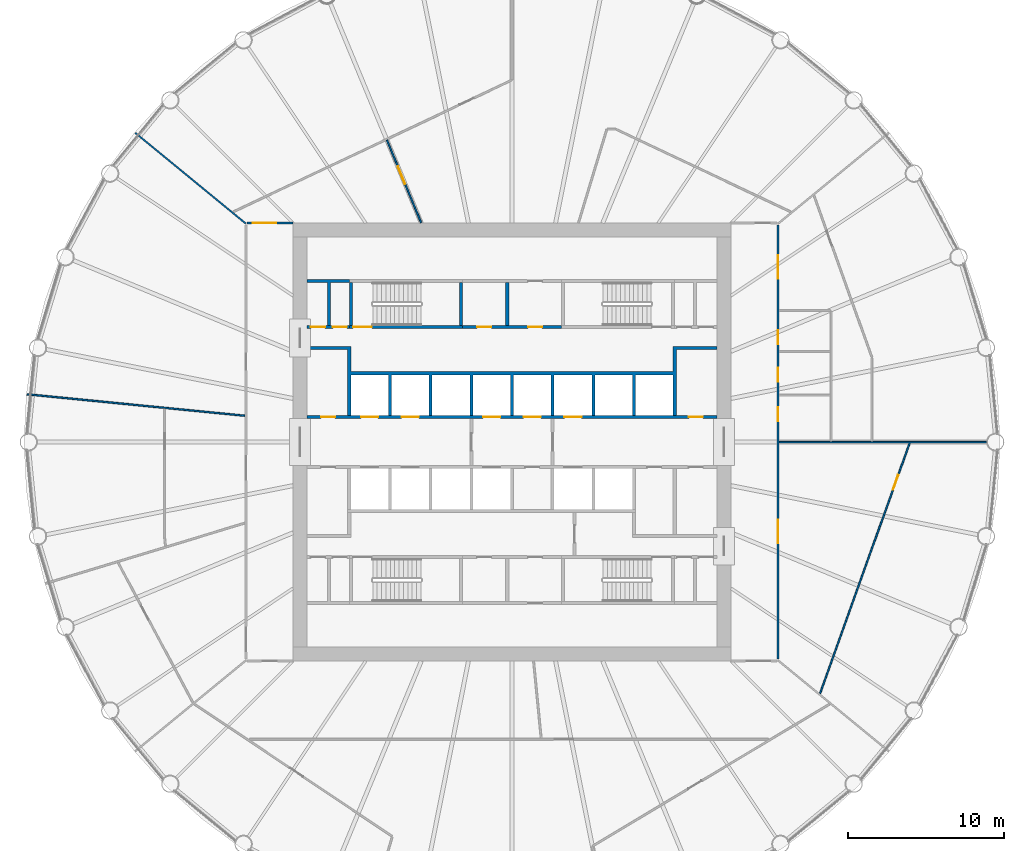
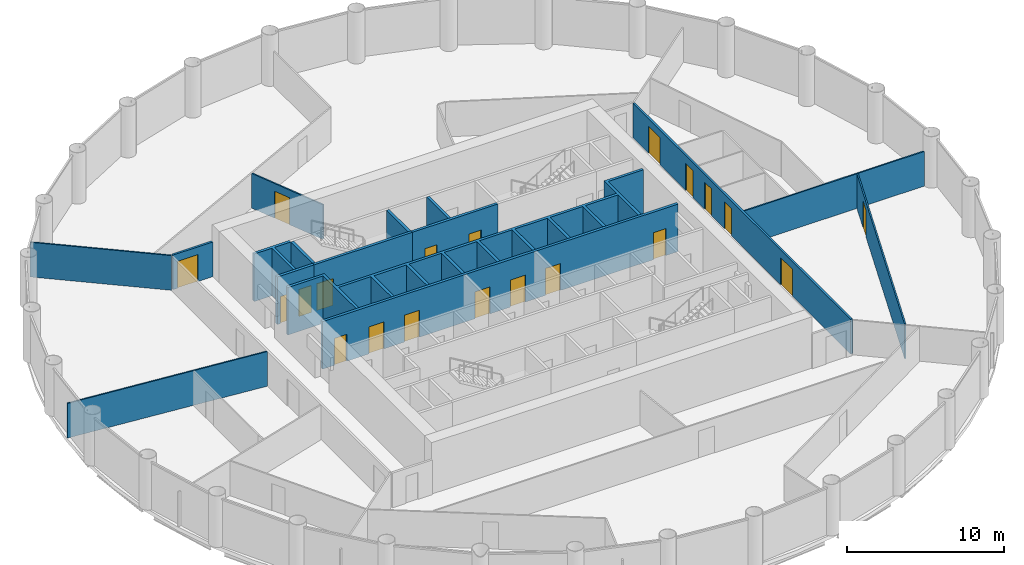
# One storey, part 6 of 8: 20 doors, 16 walls, 20 openings.
"""IFC4 building model written with IfcOpenShell, lengths in metres."""

from ifc_helpers import new_model, si_unit, direction, frame, frame_2d, origin, place, context, subcontext, project, spatial, polyline, rectangle, outline, extrude, material, layer, layer_set, type_object, element, fill, save


model = new_model("IFC4")

# Units and contexts
model_context = context("Model", 3, precision=1e-05, world=origin(), true_north=direction((0.0, 1.0)))
body_context = subcontext(model_context, "Body", "Model", "MODEL_VIEW")
ifc_project = project(units=[si_unit("LENGTHUNIT", "METRE"), si_unit("AREAUNIT", "SQUARE_METRE"), si_unit("VOLUMEUNIT", "CUBIC_METRE"), si_unit("PLANEANGLEUNIT", "RADIAN"), si_unit("MASSUNIT", "GRAM", prefix="KILO")], contexts=[model_context])

# Site, building, storey
site_placement = place(None, origin())
site = spatial("IfcSite", under=ifc_project, at=site_placement, CompositionType="ELEMENT")
building_placement = place(site_placement, origin())
building = spatial("IfcBuilding", under=site, at=building_placement, Name="Corvane Civic Tower", CompositionType="ELEMENT")
storey_placement = place(building_placement, frame((0.0, 0.0, 156.0)))
storey = spatial("IfcBuildingStorey", under=building, at=storey_placement, Name="L36", CompositionType="ELEMENT", Elevation=156.0)

# Wall, openings, doors
ifc_material_1 = material(Name="Concrete C30/37", Category="concrete")
ifc_layer_1 = layer(ifc_material_1, 0.199951171875)
ifc_layer_set_1 = layer_set([ifc_layer_1], Name="Concrete C30/37")
wall_type_1 = type_object("IfcWallType", Name="CR-WALL-200", PredefinedType="PARTITIONING", material=ifc_layer_set_1)
wall_1_placement = place(storey_placement, frame((-13.10009765625, 1.60009765625, 0.0), z_axis=(0.0, 0.0, 1.0), x_axis=(1.0, 0.0, 0.0)))
wall_1 = element("IfcWall", 1, at=wall_1_placement, inside=storey, type_object=wall_type_1, Name="L36 lift shaft wall", PredefinedType="PARTITIONING", context=body_context, shape_type="SweptSolid", body=[
    extrude(rectangle(XDim=26.2001953125, YDim=0.199951171875, at=frame_2d((13.10009765625, 0.0))), origin(), (0.0, 0.0, 1.0), 3.699951171875),
])
opening_1_placement = place(wall_1_placement, frame((3.449951171875, 0.0, 0.0)))
opening_1 = element("IfcOpeningElement", 2, at=opening_1_placement, cuts=wall_1, Name="Opening LD", PredefinedType="OPENING", context=body_context, shape_type="SweptSolid", body=[
    extrude(rectangle(XDim=1.10009765625, YDim=2.10009765625, at=frame_2d((0.550048828125, 1.050048828125))), frame((0.0, 0.10986328125, 0.0), z_axis=(0.0, -1.0, 0.0), x_axis=(1.0, 0.0, 0.0)), (0.0, 0.0, 1.0), 0.219970703125),
])
opening_2_placement = place(wall_1_placement, frame((6.050048828125, 0.0, 0.0)))
opening_2 = element("IfcOpeningElement", 3, at=opening_2_placement, cuts=wall_1, Name="Opening LD", PredefinedType="OPENING", context=body_context, shape_type="SweptSolid", body=[
    extrude(rectangle(XDim=1.10009765625, YDim=2.10009765625, at=frame_2d((0.550048828125, 1.050048828125))), frame((0.0, 0.10986328125, 0.0), z_axis=(0.0, -1.0, 0.0), x_axis=(1.0, 0.0, 0.0)), (0.0, 0.0, 1.0), 0.219970703125),
])
opening_3_placement = place(wall_1_placement, frame((11.25, 0.0, 0.0)))
opening_3 = element("IfcOpeningElement", 4, at=opening_3_placement, cuts=wall_1, Name="Opening LD", PredefinedType="OPENING", context=body_context, shape_type="SweptSolid", body=[
    extrude(rectangle(XDim=1.10009765625, YDim=2.10009765625, at=frame_2d((0.550048828125, 1.050048828125))), frame((0.0, 0.10986328125, 0.0), z_axis=(0.0, -1.0, 0.0), x_axis=(1.0, 0.0, 0.0)), (0.0, 0.0, 1.0), 0.219970703125),
])
opening_4_placement = place(wall_1_placement, frame((13.85009765625, 0.0, 0.0)))
opening_4 = element("IfcOpeningElement", 5, at=opening_4_placement, cuts=wall_1, Name="Opening LD", PredefinedType="OPENING", context=body_context, shape_type="SweptSolid", body=[
    extrude(rectangle(XDim=1.10009765625, YDim=2.10009765625, at=frame_2d((0.550048828125, 1.050048828125))), frame((0.0, 0.10986328125, 0.0), z_axis=(0.0, -1.0, 0.0), x_axis=(1.0, 0.0, 0.0)), (0.0, 0.0, 1.0), 0.219970703125),
])
opening_5_placement = place(wall_1_placement, frame((16.449951171875, 0.0, 0.0)))
opening_5 = element("IfcOpeningElement", 6, at=opening_5_placement, cuts=wall_1, Name="Opening LD", PredefinedType="OPENING", context=body_context, shape_type="SweptSolid", body=[
    extrude(rectangle(XDim=1.10009765625, YDim=2.10009765625, at=frame_2d((0.550048828125, 1.050048828125))), frame((0.0, 0.10986328125, 0.0), z_axis=(0.0, -1.0, 0.0), x_axis=(1.0, 0.0, 0.0)), (0.0, 0.0, 1.0), 0.219970703125),
])
opening_6_placement = place(wall_1_placement, frame((0.89990234375, 0.0, 0.0)))
opening_6 = element("IfcOpeningElement", 7, at=opening_6_placement, cuts=wall_1, Name="Opening L36.C01", PredefinedType="OPENING", context=body_context, shape_type="SweptSolid", body=[
    extrude(rectangle(XDim=0.89990234375, YDim=2.10009765625, at=frame_2d((0.449951171875, 1.050048828125))), frame((0.0, 0.10986328125, 0.0), z_axis=(0.0, -1.0, 0.0), x_axis=(1.0, 0.0, 0.0)), (0.0, 0.0, 1.0), 0.219970703125),
])
opening_7_placement = place(wall_1_placement, frame((24.39990234375, 0.0, 0.0)))
opening_7 = element("IfcOpeningElement", 8, at=opening_7_placement, cuts=wall_1, Name="Opening L36.C02", PredefinedType="OPENING", context=body_context, shape_type="SweptSolid", body=[
    extrude(rectangle(XDim=0.89990234375, YDim=2.10009765625, at=frame_2d((0.449951171875, 1.050048828125))), frame((0.0, 0.10986328125, 0.0), z_axis=(0.0, -1.0, 0.0), x_axis=(1.0, 0.0, 0.0)), (0.0, 0.0, 1.0), 0.219970703125),
])
ifc_material_2 = material(Name="Steel fire door leaf", Category="steel")
door_type_1 = type_object("IfcDoorType", Name="CR-DOOR-900", OperationType="SINGLE_SWING_LEFT", PredefinedType="DOOR", material=ifc_material_2)
door_1_placement = place(opening_6_placement, origin())
door_1 = element("IfcDoor", 9, at=door_1_placement, inside=storey, type_object=door_type_1, Name="L36 door", OperationType="SINGLE_SWING_LEFT", OverallHeight=2.10009765625, OverallWidth=0.89990234375, PredefinedType="DOOR", context=body_context, shape_type="SweptSolid", body=[
    extrude(rectangle(XDim=0.89990234375, YDim=2.10009765625, at=frame_2d((0.449951171875, 1.050048828125))), frame((0.0, 0.02490234375, 0.0), z_axis=(0.0, -1.0, 0.0), x_axis=(1.0, 0.0, 0.0)), (0.0, 0.0, 1.0), 0.050048828125),
])
fill(opening_6, door_1)
door_2_placement = place(opening_7_placement, origin())
door_2 = element("IfcDoor", 10, at=door_2_placement, inside=storey, type_object=door_type_1, Name="L36 door", OperationType="SINGLE_SWING_LEFT", OverallHeight=2.10009765625, OverallWidth=0.89990234375, PredefinedType="DOOR", context=body_context, shape_type="SweptSolid", body=[
    extrude(rectangle(XDim=0.89990234375, YDim=2.10009765625, at=frame_2d((0.449951171875, 1.050048828125))), frame((0.0, 0.02490234375, 0.0), z_axis=(0.0, -1.0, 0.0), x_axis=(1.0, 0.0, 0.0)), (0.0, 0.0, 1.0), 0.050048828125),
])
fill(opening_7, door_2)
ifc_material_3 = material(Name="Stainless steel 316 door leaves", Category="steel")
door_type_2 = type_object("IfcDoorType", Name="LD", OperationType="DOUBLE_DOOR_SLIDING", PredefinedType="DOOR", material=ifc_material_3)
door_3_placement = place(opening_1_placement, origin())
door_3 = element("IfcDoor", 11, at=door_3_placement, inside=storey, type_object=door_type_2, Name="L36 landing door", OperationType="DOUBLE_DOOR_SLIDING", OverallHeight=2.10009765625, OverallWidth=1.10009765625, PredefinedType="DOOR", context=body_context, shape_type="SweptSolid", body=[
    extrude(rectangle(XDim=1.10009765625, YDim=2.10009765625, at=frame_2d((0.550048828125, 1.050048828125))), frame((0.0, 0.02490234375, 0.0), z_axis=(0.0, -1.0, 0.0), x_axis=(1.0, 0.0, 0.0)), (0.0, 0.0, 1.0), 0.050048828125),
])
fill(opening_1, door_3)
door_4_placement = place(opening_2_placement, origin())
door_4 = element("IfcDoor", 12, at=door_4_placement, inside=storey, type_object=door_type_2, Name="L36 landing door", OperationType="DOUBLE_DOOR_SLIDING", OverallHeight=2.10009765625, OverallWidth=1.10009765625, PredefinedType="DOOR", context=body_context, shape_type="SweptSolid", body=[
    extrude(rectangle(XDim=1.10009765625, YDim=2.10009765625, at=frame_2d((0.550048828125, 1.050048828125))), frame((0.0, 0.02490234375, 0.0), z_axis=(0.0, -1.0, 0.0), x_axis=(1.0, 0.0, 0.0)), (0.0, 0.0, 1.0), 0.050048828125),
])
fill(opening_2, door_4)
door_5_placement = place(opening_3_placement, origin())
door_5 = element("IfcDoor", 13, at=door_5_placement, inside=storey, type_object=door_type_2, Name="L36 landing door", OperationType="DOUBLE_DOOR_SLIDING", OverallHeight=2.10009765625, OverallWidth=1.10009765625, PredefinedType="DOOR", context=body_context, shape_type="SweptSolid", body=[
    extrude(rectangle(XDim=1.10009765625, YDim=2.10009765625, at=frame_2d((0.550048828125, 1.050048828125))), frame((0.0, 0.02490234375, 0.0), z_axis=(0.0, -1.0, 0.0), x_axis=(1.0, 0.0, 0.0)), (0.0, 0.0, 1.0), 0.050048828125),
])
fill(opening_3, door_5)
door_6_placement = place(opening_4_placement, origin())
door_6 = element("IfcDoor", 14, at=door_6_placement, inside=storey, type_object=door_type_2, Name="L36 landing door", OperationType="DOUBLE_DOOR_SLIDING", OverallHeight=2.10009765625, OverallWidth=1.10009765625, PredefinedType="DOOR", context=body_context, shape_type="SweptSolid", body=[
    extrude(rectangle(XDim=1.10009765625, YDim=2.10009765625, at=frame_2d((0.550048828125, 1.050048828125))), frame((0.0, 0.02490234375, 0.0), z_axis=(0.0, -1.0, 0.0), x_axis=(1.0, 0.0, 0.0)), (0.0, 0.0, 1.0), 0.050048828125),
])
fill(opening_4, door_6)
door_7_placement = place(opening_5_placement, origin())
door_7 = element("IfcDoor", 15, at=door_7_placement, inside=storey, type_object=door_type_2, Name="L36 landing door", OperationType="DOUBLE_DOOR_SLIDING", OverallHeight=2.10009765625, OverallWidth=1.10009765625, PredefinedType="DOOR", context=body_context, shape_type="SweptSolid", body=[
    extrude(rectangle(XDim=1.10009765625, YDim=2.10009765625, at=frame_2d((0.550048828125, 1.050048828125))), frame((0.0, 0.02490234375, 0.0), z_axis=(0.0, -1.0, 0.0), x_axis=(1.0, 0.0, 0.0)), (0.0, 0.0, 1.0), 0.050048828125),
])
fill(opening_5, door_7)

wall_2_placement = place(storey_placement, frame((-13.10009765625, 7.35009765625, 0.0), z_axis=(0.0, 0.0, 1.0), x_axis=(1.0, 0.0, 0.0)))
wall_2 = element("IfcWall", 16, at=wall_2_placement, inside=storey, type_object=wall_type_1, Name="L36 core partition wall", PredefinedType="PARTITIONING", context=body_context, shape_type="SweptSolid", body=[
    extrude(rectangle(XDim=2.7001953125, YDim=0.199951171875, at=frame_2d((1.35009765625, 0.0))), origin(), (0.0, 0.0, 1.0), 3.699951171875),
])
opening_8_placement = place(wall_2_placement, frame((0.25, 0.0, 0.0)))
opening_8 = element("IfcOpeningElement", 17, at=opening_8_placement, cuts=wall_2, Name="Opening L36.C13", PredefinedType="OPENING", context=body_context, shape_type="SweptSolid", body=[
    extrude(rectangle(XDim=0.89990234375, YDim=2.10009765625, at=frame_2d((0.449951171875, 1.050048828125))), frame((0.0, 0.10986328125, 0.0), z_axis=(0.0, -1.0, 0.0), x_axis=(1.0, 0.0, 0.0)), (0.0, 0.0, 1.0), 0.219970703125),
])
opening_9_placement = place(wall_2_placement, frame((1.64990234375, 0.0, 0.0)))
opening_9 = element("IfcOpeningElement", 18, at=opening_9_placement, cuts=wall_2, Name="Opening L36.C14", PredefinedType="OPENING", context=body_context, shape_type="SweptSolid", body=[
    extrude(rectangle(XDim=0.89990234375, YDim=2.10009765625, at=frame_2d((0.449951171875, 1.050048828125))), frame((0.0, 0.10986328125, 0.0), z_axis=(0.0, -1.0, 0.0), x_axis=(1.0, 0.0, 0.0)), (0.0, 0.0, 1.0), 0.219970703125),
])
door_8_placement = place(opening_8_placement, origin())
door_8 = element("IfcDoor", 19, at=door_8_placement, inside=storey, type_object=door_type_1, Name="L36 door", OperationType="SINGLE_SWING_LEFT", OverallHeight=2.10009765625, OverallWidth=0.89990234375, PredefinedType="DOOR", context=body_context, shape_type="SweptSolid", body=[
    extrude(rectangle(XDim=0.89990234375, YDim=2.10009765625, at=frame_2d((0.449951171875, 1.050048828125))), frame((0.0, 0.02490234375, 0.0), z_axis=(0.0, -1.0, 0.0), x_axis=(1.0, 0.0, 0.0)), (0.0, 0.0, 1.0), 0.050048828125),
])
fill(opening_8, door_8)
door_9_placement = place(opening_9_placement, origin())
door_9 = element("IfcDoor", 20, at=door_9_placement, inside=storey, type_object=door_type_1, Name="L36 door", OperationType="SINGLE_SWING_LEFT", OverallHeight=2.10009765625, OverallWidth=0.89990234375, PredefinedType="DOOR", context=body_context, shape_type="SweptSolid", body=[
    extrude(rectangle(XDim=0.89990234375, YDim=2.10009765625, at=frame_2d((0.449951171875, 1.050048828125))), frame((0.0, 0.02490234375, 0.0), z_axis=(0.0, -1.0, 0.0), x_axis=(1.0, 0.0, 0.0)), (0.0, 0.0, 1.0), 0.050048828125),
])
fill(opening_9, door_9)

wall_3_placement = place(storey_placement, frame((-3.14990234375, 7.35009765625, 0.0), z_axis=(0.0, 0.0, 1.0), x_axis=(1.0, 0.0, 0.0)))
wall_3 = element("IfcWall", 21, at=wall_3_placement, inside=storey, type_object=wall_type_1, Name="L36 core partition wall", PredefinedType="PARTITIONING", context=body_context, shape_type="SweptSolid", body=[
    extrude(rectangle(XDim=6.2998046875, YDim=0.199951171875, at=frame_2d((3.14990234375, 0.0))), origin(), (0.0, 0.0, 1.0), 3.699951171875),
])
opening_10_placement = place(wall_3_placement, frame((0.925048828125, 0.0, 0.0)))
opening_10 = element("IfcOpeningElement", 22, at=opening_10_placement, cuts=wall_3, Name="Opening L36.C07", PredefinedType="OPENING", context=body_context, shape_type="SweptSolid", body=[
    extrude(rectangle(XDim=0.89990234375, YDim=2.10009765625, at=frame_2d((0.449951171875, 1.050048828125))), frame((0.0, 0.10986328125, 0.0), z_axis=(0.0, -1.0, 0.0), x_axis=(1.0, 0.0, 0.0)), (0.0, 0.0, 1.0), 0.219970703125),
])
opening_11_placement = place(wall_3_placement, frame((4.175048828125, 0.0, 0.0)))
opening_11 = element("IfcOpeningElement", 23, at=opening_11_placement, cuts=wall_3, Name="Opening L36.C08", PredefinedType="OPENING", context=body_context, shape_type="SweptSolid", body=[
    extrude(rectangle(XDim=0.89990234375, YDim=2.10009765625, at=frame_2d((0.449951171875, 1.050048828125))), frame((0.0, 0.10986328125, 0.0), z_axis=(0.0, -1.0, 0.0), x_axis=(1.0, 0.0, 0.0)), (0.0, 0.0, 1.0), 0.219970703125),
])
door_10_placement = place(opening_10_placement, origin())
door_10 = element("IfcDoor", 24, at=door_10_placement, inside=storey, type_object=door_type_1, Name="L36 door", OperationType="SINGLE_SWING_LEFT", OverallHeight=2.10009765625, OverallWidth=0.89990234375, PredefinedType="DOOR", context=body_context, shape_type="SweptSolid", body=[
    extrude(rectangle(XDim=0.89990234375, YDim=2.10009765625, at=frame_2d((0.449951171875, 1.050048828125))), frame((0.0, 0.02490234375, 0.0), z_axis=(0.0, -1.0, 0.0), x_axis=(1.0, 0.0, 0.0)), (0.0, 0.0, 1.0), 0.050048828125),
])
fill(opening_10, door_10)
door_11_placement = place(opening_11_placement, origin())
door_11 = element("IfcDoor", 25, at=door_11_placement, inside=storey, type_object=door_type_1, Name="L36 door", OperationType="SINGLE_SWING_LEFT", OverallHeight=2.10009765625, OverallWidth=0.89990234375, PredefinedType="DOOR", context=body_context, shape_type="SweptSolid", body=[
    extrude(rectangle(XDim=0.89990234375, YDim=2.10009765625, at=frame_2d((0.449951171875, 1.050048828125))), frame((0.0, 0.02490234375, 0.0), z_axis=(0.0, -1.0, 0.0), x_axis=(1.0, 0.0, 0.0)), (0.0, 0.0, 1.0), 0.050048828125),
])
fill(opening_11, door_11)

# Walls
wall_4_placement = place(storey_placement, origin())
element("IfcWall", 26, at=wall_4_placement, inside=storey, type_object=wall_type_1, Name="L36 core partition wall", PredefinedType="PARTITIONING", context=body_context, shape_type="SweptSolid", body=[
    extrude(outline(polyline([(-13.10009765625, 10.39990234375), (-10.39990234375, 10.39990234375), (-10.39990234375, 10.199951171875), (-11.60009765625, 10.199951171875), (-11.60009765625, 7.449951171875), (-11.800048828125, 7.449951171875), (-11.800048828125, 10.199951171875), (-13.10009765625, 10.199951171875), (-13.10009765625, 10.39990234375)])), origin(), (0.0, 0.0, 1.0), 3.699951171875),
])
wall_5_placement = place(storey_placement, origin())
element("IfcWall", 27, at=wall_5_placement, inside=storey, type_object=wall_type_1, Name="L36 core partition wall", PredefinedType="PARTITIONING", context=body_context, shape_type="SweptSolid", body=[
    extrude(outline(polyline([(-0.199951171875, 7.449951171875), (-0.39990234375, 7.449951171875), (-0.39990234375, 10.199951171875), (-0.199951171875, 10.199951171875), (-0.199951171875, 7.449951171875)])), origin(), (0.0, 0.0, 1.0), 3.699951171875),
])
wall_6_placement = place(storey_placement, origin())
element("IfcWall", 28, at=wall_6_placement, inside=storey, type_object=wall_type_1, Name="L36 core partition wall", PredefinedType="PARTITIONING", context=body_context, shape_type="SweptSolid", body=[
    extrude(outline(polyline([(-10.300048828125, 1.699951171875), (-10.5, 1.699951171875), (-10.5, 5.89990234375), (-13.10009765625, 5.89990234375), (-13.10009765625, 6.10009765625), (-10.300048828125, 6.10009765625), (-10.300048828125, 4.5), (10.300048828125, 4.5), (10.300048828125, 6.10009765625), (13.10009765625, 6.10009765625), (13.10009765625, 5.89990234375), (10.5, 5.89990234375), (10.5, 1.699951171875), (10.300048828125, 1.699951171875), (10.300048828125, 4.300048828125), (7.89990234375, 4.300048828125), (7.89990234375, 1.699951171875), (7.699951171875, 1.699951171875), (7.699951171875, 4.300048828125), (5.300048828125, 4.300048828125), (5.300048828125, 1.699951171875), (5.10009765625, 1.699951171875), (5.10009765625, 4.300048828125), (2.699951171875, 4.300048828125), (2.699951171875, 1.699951171875), (2.5, 1.699951171875), (2.5, 4.300048828125), (0.10009765625, 4.300048828125), (0.10009765625, 1.699951171875), (-0.10009765625, 1.699951171875), (-0.10009765625, 4.300048828125), (-2.5, 4.300048828125), (-2.5, 1.699951171875), (-2.699951171875, 1.699951171875), (-2.699951171875, 4.300048828125), (-5.10009765625, 4.300048828125), (-5.10009765625, 1.699951171875), (-5.300048828125, 1.699951171875), (-5.300048828125, 4.300048828125), (-7.699951171875, 4.300048828125), (-7.699951171875, 1.699951171875), (-7.89990234375, 1.699951171875), (-7.89990234375, 4.300048828125), (-10.300048828125, 4.300048828125), (-10.300048828125, 1.699951171875)])), origin(), (0.0, 0.0, 1.0), 3.699951171875),
])

# Wall, opening, door
ifc_material_4 = material(Name="Plasterboard")
ifc_layer_2 = layer(ifc_material_4, 0.10009765625)
ifc_layer_set_2 = layer_set([ifc_layer_2], Name="Plasterboard")
wall_type_2 = type_object("IfcWallType", Name="Partition 100 plasterboard on studs", PredefinedType="PARTITIONING", material=ifc_layer_set_2)
wall_7_placement = place(storey_placement, frame((19.69189453125, -16.07421875, 0.0), z_axis=(0.0, 0.0, 1.0), x_axis=(0.33689125471, 0.941543563782, 0.0)))
wall_7 = element("IfcWall", 29, at=wall_7_placement, inside=storey, type_object=wall_type_2, Name="Partition L36.010", PredefinedType="PARTITIONING", context=body_context, shape_type="SweptSolid", body=[
    extrude(rectangle(XDim=17.001220703125, YDim=0.10009765625, at=frame_2d((8.50048828125, 0.0))), origin(), (0.0, 0.0, 1.0), 2.699951171875),
])
opening_12_placement = place(wall_7_placement, frame((13.829345703125, 0.0, 0.0)))
opening_12 = element("IfcOpeningElement", 30, at=opening_12_placement, cuts=wall_7, Name="Opening L36.015", PredefinedType="OPENING", context=body_context, shape_type="SweptSolid", body=[
    extrude(rectangle(XDim=1.0, YDim=2.10009765625, at=frame_2d((0.5, 1.050048828125))), frame((0.0, 0.06005859375, 0.0), z_axis=(0.0, -1.0, 0.0), x_axis=(1.0, 0.0, 0.0)), (0.0, 0.0, 1.0), 0.1201171875),
])
ifc_material_5 = material(Name="Timber", Category="wood")
door_type_3 = type_object("IfcDoorType", Name="Single door 1000", OperationType="NOTDEFINED", PredefinedType="DOOR", material=ifc_material_5)
door_12_placement = place(opening_12_placement, frame((1.0, 0.0, 0.0), z_axis=(0.0, 0.0, 1.0), x_axis=(-1.0, 0.0, 0.0)))
door_12 = element("IfcDoor", 31, at=door_12_placement, inside=storey, type_object=door_type_3, Name="Door L36.015", OperationType="SINGLE_SWING_LEFT", OverallHeight=2.10009765625, OverallWidth=1.0, PredefinedType="DOOR", context=body_context, shape_type="SweptSolid", body=[
    extrude(rectangle(XDim=1.0, YDim=2.10009765625, at=frame_2d((0.5, 1.050048828125))), frame((0.0, 0.02490234375, 0.0), z_axis=(0.0, -1.0, 0.0), x_axis=(1.0, 0.0, 0.0)), (0.0, 0.0, 1.0), 0.050048828125),
])
fill(opening_12, door_12)

# Walls
wall_8_placement = place(storey_placement, frame((17.074951171875, 0.0, 0.0), z_axis=(0.0, 0.0, 1.0), x_axis=(1.0, 0.0, 0.0)))
element("IfcWall", 32, at=wall_8_placement, inside=storey, type_object=wall_type_2, Name="Partition L36.018", PredefinedType="PARTITIONING", context=body_context, shape_type="SweptSolid", body=[
    extrude(rectangle(XDim=13.264892578125, YDim=0.10009765625, at=frame_2d((6.63232421875, 0.0))), origin(), (0.0, 0.0, 1.0), 2.699951171875),
])
wall_9_placement = place(storey_placement, frame((-31.000244140625, 3.05322265625, 0.0), z_axis=(0.0, 0.0, 1.0), x_axis=(0.995184356936, -0.098020894254, 0.0)))
element("IfcWall", 33, at=wall_9_placement, inside=storey, type_object=wall_type_2, Name="Partition L36.021", PredefinedType="PARTITIONING", context=body_context, shape_type="SweptSolid", body=[
    extrude(rectangle(XDim=13.98779296875, YDim=0.10009765625, at=frame_2d((6.993896484375, 0.0))), origin(), (0.0, 0.0, 1.0), 2.699951171875),
])
wall_10_placement = place(storey_placement, frame((-24.079345703125, 19.761474609375, 0.0), z_axis=(0.0, 0.0, 1.0), x_axis=(0.773006154143, -0.634398522742, 0.0)))
element("IfcWall", 34, at=wall_10_placement, inside=storey, type_object=wall_type_2, Name="Partition L36.026", PredefinedType="PARTITIONING", context=body_context, shape_type="SweptSolid", body=[
    extrude(rectangle(XDim=9.134521484375, YDim=0.10009765625, at=frame_2d((4.5673828125, 0.0))), origin(), (0.0, 0.0, 1.0), 2.699951171875),
])

# Wall, opening, door
wall_11_placement = place(storey_placement, frame((-7.994873046875, 19.30126953125, 0.0), z_axis=(0.0, 0.0, 1.0), x_axis=(0.382692431756, -0.92387580479, 0.0)))
wall_11 = element("IfcWall", 35, at=wall_11_placement, inside=storey, type_object=wall_type_2, Name="Partition L36.029", PredefinedType="PARTITIONING", context=body_context, shape_type="SweptSolid", body=[
    extrude(rectangle(XDim=5.718017578125, YDim=0.10009765625, at=frame_2d((2.85888671875, 0.0))), origin(), (0.0, 0.0, 1.0), 2.699951171875),
])
opening_13_placement = place(wall_11_placement, frame((1.835693359375, 0.0, 0.0)))
opening_13 = element("IfcOpeningElement", 36, at=opening_13_placement, cuts=wall_11, Name="Opening L36.002", PredefinedType="OPENING", context=body_context, shape_type="SweptSolid", body=[
    extrude(rectangle(XDim=1.199951171875, YDim=2.10009765625, at=frame_2d((0.60009765625, 1.050048828125))), frame((0.0, 0.06005859375, 0.0), z_axis=(0.0, -1.0, 0.0), x_axis=(1.0, 0.0, 0.0)), (0.0, 0.0, 1.0), 0.1201171875),
])
ifc_material_6 = material(Name="Timber", Category="wood")
door_type_4 = type_object("IfcDoorType", Name="Double door 1200", OperationType="NOTDEFINED", PredefinedType="DOOR", material=ifc_material_6)
door_13_placement = place(opening_13_placement, origin())
door_13 = element("IfcDoor", 37, at=door_13_placement, inside=storey, type_object=door_type_4, Name="Door L36.002", OperationType="DOUBLE_DOOR_SINGLE_SWING", OverallHeight=2.10009765625, OverallWidth=1.199951171875, PredefinedType="DOOR", context=body_context, shape_type="SweptSolid", body=[
    extrude(rectangle(XDim=1.199951171875, YDim=2.10009765625, at=frame_2d((0.60009765625, 1.050048828125))), frame((0.0, 0.02490234375, 0.0), z_axis=(0.0, -1.0, 0.0), x_axis=(1.0, 0.0, 0.0)), (0.0, 0.0, 1.0), 0.050048828125),
])
fill(opening_13, door_13)

ifc_material_7 = material(Name="Concrete C50/60", Category="concrete")
ifc_layer_3 = layer(ifc_material_7, 0.199951171875)
ifc_layer_set_3 = layer_set([ifc_layer_3], Name="Concrete C50/60")
wall_type_3 = type_object("IfcWallType", Name="ST-WALL-200", PredefinedType="SHEAR", material=ifc_layer_set_3)
wall_12_placement = place(storey_placement, frame((-10.39990234375, 7.35009765625, 0.0), z_axis=(0.0, 0.0, 1.0), x_axis=(1.0, 0.0, 0.0)))
wall_12 = element("IfcWall", 38, at=wall_12_placement, inside=storey, type_object=wall_type_3, Name="L36 stair enclosure wall", PredefinedType="SHEAR", context=body_context, shape_type="SweptSolid", body=[
    extrude(rectangle(XDim=7.25, YDim=0.199951171875, at=frame_2d((3.625, 0.0))), origin(), (0.0, 0.0, 1.0), 3.699951171875),
])
opening_14_placement = place(wall_12_placement, frame((0.25, 0.0, 0.0)))
opening_14 = element("IfcOpeningElement", 39, at=opening_14_placement, cuts=wall_12, Name="Opening L36.C22", PredefinedType="OPENING", context=body_context, shape_type="SweptSolid", body=[
    extrude(rectangle(XDim=1.199951171875, YDim=2.10009765625, at=frame_2d((0.60009765625, 1.050048828125))), frame((0.0, 0.10986328125, 0.0), z_axis=(0.0, -1.0, 0.0), x_axis=(1.0, 0.0, 0.0)), (0.0, 0.0, 1.0), 0.219970703125),
])
ifc_material_8 = material(Name="Steel fire door leaf", Category="steel")
door_type_5 = type_object("IfcDoorType", Name="ST-DOOR-1200", OperationType="SINGLE_SWING_RIGHT", PredefinedType="DOOR", material=ifc_material_8)
door_14_placement = place(opening_14_placement, origin())
door_14 = element("IfcDoor", 40, at=door_14_placement, inside=storey, type_object=door_type_5, Name="L36 stair door", OperationType="SINGLE_SWING_RIGHT", OverallHeight=2.10009765625, OverallWidth=1.199951171875, PredefinedType="DOOR", context=body_context, shape_type="SweptSolid", body=[
    extrude(rectangle(XDim=1.199951171875, YDim=2.10009765625, at=frame_2d((0.60009765625, 1.050048828125))), frame((0.0, 0.02490234375, 0.0), z_axis=(0.0, -1.0, 0.0), x_axis=(1.0, 0.0, 0.0)), (0.0, 0.0, 1.0), 0.050048828125),
])
fill(opening_14, door_14)

# Walls
wall_13_placement = place(storey_placement, origin())
element("IfcWall", 41, at=wall_13_placement, inside=storey, type_object=wall_type_3, Name="L36 stair enclosure wall", PredefinedType="SHEAR", context=body_context, shape_type="SweptSolid", body=[
    extrude(outline(polyline([(-3.14990234375, 7.449951171875), (-3.35009765625, 7.449951171875), (-3.35009765625, 10.199951171875), (-3.14990234375, 10.199951171875), (-3.14990234375, 7.449951171875)])), origin(), (0.0, 0.0, 1.0), 3.699951171875),
])
wall_14_placement = place(storey_placement, origin())
element("IfcWall", 42, at=wall_14_placement, inside=storey, type_object=wall_type_3, Name="L36 stair enclosure wall", PredefinedType="SHEAR", context=body_context, shape_type="SweptSolid", body=[
    extrude(outline(polyline([(-10.199951171875, 7.449951171875), (-10.39990234375, 7.449951171875), (-10.39990234375, 10.199951171875), (-10.199951171875, 10.199951171875), (-10.199951171875, 7.449951171875)])), origin(), (0.0, 0.0, 1.0), 3.699951171875),
])

# Wall, openings, doors
ifc_material_9 = material(Name="Plasterboard")
ifc_layer_4 = layer(ifc_material_9, 0.14990234375)
ifc_layer_set_4 = layer_set([ifc_layer_4], Name="Plasterboard")
wall_type_4 = type_object("IfcWallType", Name="Tenancy wall 150 EI 60", PredefinedType="PARTITIONING", material=ifc_layer_set_4)
wall_15_placement = place(storey_placement, frame((17.0, -13.87646484375, 0.0), z_axis=(0.0, 0.0, 1.0), x_axis=(0.0, 1.0, 0.0)))
wall_15 = element("IfcWall", 43, at=wall_15_placement, inside=storey, type_object=wall_type_4, Name="Partition L36.014", PredefinedType="PARTITIONING", context=body_context, shape_type="SweptSolid", body=[
    extrude(rectangle(XDim=27.7529296875, YDim=0.14990234375, at=frame_2d((13.87646484375, 0.0))), origin(), (0.0, 0.0, 1.0), 2.699951171875),
])
opening_15_placement = place(wall_15_placement, frame((24.30419921875, 0.0, 0.0)))
opening_15 = element("IfcOpeningElement", 44, at=opening_15_placement, cuts=wall_15, Name="Opening L36.011", PredefinedType="OPENING", context=body_context, shape_type="SweptSolid", body=[
    extrude(rectangle(XDim=1.5, YDim=2.10009765625, at=frame_2d((0.75, 1.050048828125))), frame((0.0, 0.0849609375, 0.0), z_axis=(0.0, -1.0, 0.0), x_axis=(1.0, 0.0, 0.0)), (0.0, 0.0, 1.0), 0.169921875),
])
opening_16_placement = place(wall_15_placement, frame((15.21240234375, 0.0, 0.0)))
opening_16 = element("IfcOpeningElement", 45, at=opening_16_placement, cuts=wall_15, Name="Opening L36.012", PredefinedType="OPENING", context=body_context, shape_type="SweptSolid", body=[
    extrude(rectangle(XDim=0.89990234375, YDim=2.10009765625, at=frame_2d((0.449951171875, 1.050048828125))), frame((0.0, 0.0849609375, 0.0), z_axis=(0.0, -1.0, 0.0), x_axis=(1.0, 0.0, 0.0)), (0.0, 0.0, 1.0), 0.169921875),
])
opening_17_placement = place(wall_15_placement, frame((17.716796875, 0.0, 0.0)))
opening_17 = element("IfcOpeningElement", 46, at=opening_17_placement, cuts=wall_15, Name="Opening L36.013", PredefinedType="OPENING", context=body_context, shape_type="SweptSolid", body=[
    extrude(rectangle(XDim=0.89990234375, YDim=2.10009765625, at=frame_2d((0.449951171875, 1.050048828125))), frame((0.0, 0.0849609375, 0.0), z_axis=(0.0, -1.0, 0.0), x_axis=(1.0, 0.0, 0.0)), (0.0, 0.0, 1.0), 0.169921875),
])
opening_18_placement = place(wall_15_placement, frame((20.1298828125, 0.0, 0.0)))
opening_18 = element("IfcOpeningElement", 47, at=opening_18_placement, cuts=wall_15, Name="Opening L36.014", PredefinedType="OPENING", context=body_context, shape_type="SweptSolid", body=[
    extrude(rectangle(XDim=0.89990234375, YDim=2.10009765625, at=frame_2d((0.449951171875, 1.050048828125))), frame((0.0, 0.0849609375, 0.0), z_axis=(0.0, -1.0, 0.0), x_axis=(1.0, 0.0, 0.0)), (0.0, 0.0, 1.0), 0.169921875),
])
opening_19_placement = place(wall_15_placement, frame((7.415283203125, 0.0, 0.0)))
opening_19 = element("IfcOpeningElement", 48, at=opening_19_placement, cuts=wall_15, Name="Opening L36.016", PredefinedType="OPENING", context=body_context, shape_type="SweptSolid", body=[
    extrude(rectangle(XDim=1.5, YDim=2.10009765625, at=frame_2d((0.75, 1.050048828125))), frame((0.0, 0.0849609375, 0.0), z_axis=(0.0, -1.0, 0.0), x_axis=(1.0, 0.0, 0.0)), (0.0, 0.0, 1.0), 0.169921875),
])
ifc_material_10 = material(Name="Steel and timber", Category="steel")
door_type_6 = type_object("IfcDoorType", Name="Fire door FD30S 900", OperationType="NOTDEFINED", PredefinedType="DOOR", material=ifc_material_10)
door_15_placement = place(opening_16_placement, frame((0.89990234375, 0.0, 0.0), z_axis=(0.0, 0.0, 1.0), x_axis=(-1.0, 0.0, 0.0)))
door_15 = element("IfcDoor", 49, at=door_15_placement, inside=storey, type_object=door_type_6, Name="Door L36.012", OperationType="SINGLE_SWING_LEFT", OverallHeight=2.10009765625, OverallWidth=0.89990234375, PredefinedType="DOOR", context=body_context, shape_type="SweptSolid", body=[
    extrude(rectangle(XDim=0.89990234375, YDim=2.10009765625, at=frame_2d((0.449951171875, 1.050048828125))), frame((0.0, 0.02490234375, 0.0), z_axis=(0.0, -1.0, 0.0), x_axis=(1.0, 0.0, 0.0)), (0.0, 0.0, 1.0), 0.050048828125),
])
fill(opening_16, door_15)
door_16_placement = place(opening_17_placement, frame((0.89990234375, 0.0, 0.0), z_axis=(0.0, 0.0, 1.0), x_axis=(-1.0, 0.0, 0.0)))
door_16 = element("IfcDoor", 50, at=door_16_placement, inside=storey, type_object=door_type_6, Name="Door L36.013", OperationType="SINGLE_SWING_LEFT", OverallHeight=2.10009765625, OverallWidth=0.89990234375, PredefinedType="DOOR", context=body_context, shape_type="SweptSolid", body=[
    extrude(rectangle(XDim=0.89990234375, YDim=2.10009765625, at=frame_2d((0.449951171875, 1.050048828125))), frame((0.0, 0.02490234375, 0.0), z_axis=(0.0, -1.0, 0.0), x_axis=(1.0, 0.0, 0.0)), (0.0, 0.0, 1.0), 0.050048828125),
])
fill(opening_17, door_16)
door_17_placement = place(opening_18_placement, frame((0.89990234375, 0.0, 0.0), z_axis=(0.0, 0.0, 1.0), x_axis=(-1.0, 0.0, 0.0)))
door_17 = element("IfcDoor", 51, at=door_17_placement, inside=storey, type_object=door_type_6, Name="Door L36.014", OperationType="SINGLE_SWING_RIGHT", OverallHeight=2.10009765625, OverallWidth=0.89990234375, PredefinedType="DOOR", context=body_context, shape_type="SweptSolid", body=[
    extrude(rectangle(XDim=0.89990234375, YDim=2.10009765625, at=frame_2d((0.449951171875, 1.050048828125))), frame((0.0, 0.02490234375, 0.0), z_axis=(0.0, -1.0, 0.0), x_axis=(1.0, 0.0, 0.0)), (0.0, 0.0, 1.0), 0.050048828125),
])
fill(opening_18, door_17)
ifc_material_11 = material(Name="Steel and timber", Category="steel")
door_type_7 = type_object("IfcDoorType", Name="Fire door FD60 double 1500", OperationType="NOTDEFINED", PredefinedType="DOOR", material=ifc_material_11)
door_18_placement = place(opening_15_placement, frame((1.5, 0.0, 0.0), z_axis=(0.0, 0.0, 1.0), x_axis=(-1.0, 0.0, 0.0)))
door_18 = element("IfcDoor", 52, at=door_18_placement, inside=storey, type_object=door_type_7, Name="Door L36.011", OperationType="DOUBLE_DOOR_SINGLE_SWING", OverallHeight=2.10009765625, OverallWidth=1.5, PredefinedType="DOOR", context=body_context, shape_type="SweptSolid", body=[
    extrude(rectangle(XDim=1.5, YDim=2.10009765625, at=frame_2d((0.75, 1.050048828125))), frame((0.0, 0.02490234375, 0.0), z_axis=(0.0, -1.0, 0.0), x_axis=(1.0, 0.0, 0.0)), (0.0, 0.0, 1.0), 0.050048828125),
])
fill(opening_15, door_18)
door_19_placement = place(opening_19_placement, frame((1.5, 0.0, 0.0), z_axis=(0.0, 0.0, 1.0), x_axis=(-1.0, 0.0, 0.0)))
door_19 = element("IfcDoor", 53, at=door_19_placement, inside=storey, type_object=door_type_7, Name="Door L36.016", OperationType="DOUBLE_DOOR_SINGLE_SWING", OverallHeight=2.10009765625, OverallWidth=1.5, PredefinedType="DOOR", context=body_context, shape_type="SweptSolid", body=[
    extrude(rectangle(XDim=1.5, YDim=2.10009765625, at=frame_2d((0.75, 1.050048828125))), frame((0.0, 0.02490234375, 0.0), z_axis=(0.0, -1.0, 0.0), x_axis=(1.0, 0.0, 0.0)), (0.0, 0.0, 1.0), 0.050048828125),
])
fill(opening_19, door_19)

# Wall, opening, door
wall_16_placement = place(storey_placement, frame((-16.925048828125, 14.0, 0.0), z_axis=(0.0, 0.0, 1.0), x_axis=(1.0, 0.0, 0.0)))
wall_16 = element("IfcWall", 54, at=wall_16_placement, inside=storey, type_object=wall_type_4, Name="Partition L36.028", PredefinedType="PARTITIONING", context=body_context, shape_type="SweptSolid", body=[
    extrude(rectangle(XDim=2.93505859375, YDim=0.14990234375, at=frame_2d((1.467529296875, 0.0))), origin(), (0.0, 0.0, 1.0), 2.699951171875),
])
opening_20_placement = place(wall_16_placement, frame((0.33935546875, 0.0, 0.0)))
opening_20 = element("IfcOpeningElement", 55, at=opening_20_placement, cuts=wall_16, Name="Opening L36.003", PredefinedType="OPENING", context=body_context, shape_type="SweptSolid", body=[
    extrude(rectangle(XDim=1.5, YDim=2.10009765625, at=frame_2d((0.75, 1.050048828125))), frame((0.0, 0.0849609375, 0.0), z_axis=(0.0, -1.0, 0.0), x_axis=(1.0, 0.0, 0.0)), (0.0, 0.0, 1.0), 0.169921875),
])
door_20_placement = place(opening_20_placement, origin())
door_20 = element("IfcDoor", 56, at=door_20_placement, inside=storey, type_object=door_type_7, Name="Door L36.003", OperationType="DOUBLE_DOOR_SINGLE_SWING", OverallHeight=2.10009765625, OverallWidth=1.5, PredefinedType="DOOR", context=body_context, shape_type="SweptSolid", body=[
    extrude(rectangle(XDim=1.5, YDim=2.10009765625, at=frame_2d((0.75, 1.050048828125))), frame((0.0, 0.02490234375, 0.0), z_axis=(0.0, -1.0, 0.0), x_axis=(1.0, 0.0, 0.0)), (0.0, 0.0, 1.0), 0.050048828125),
])
fill(opening_20, door_20)

save(model, "model.ifc")
